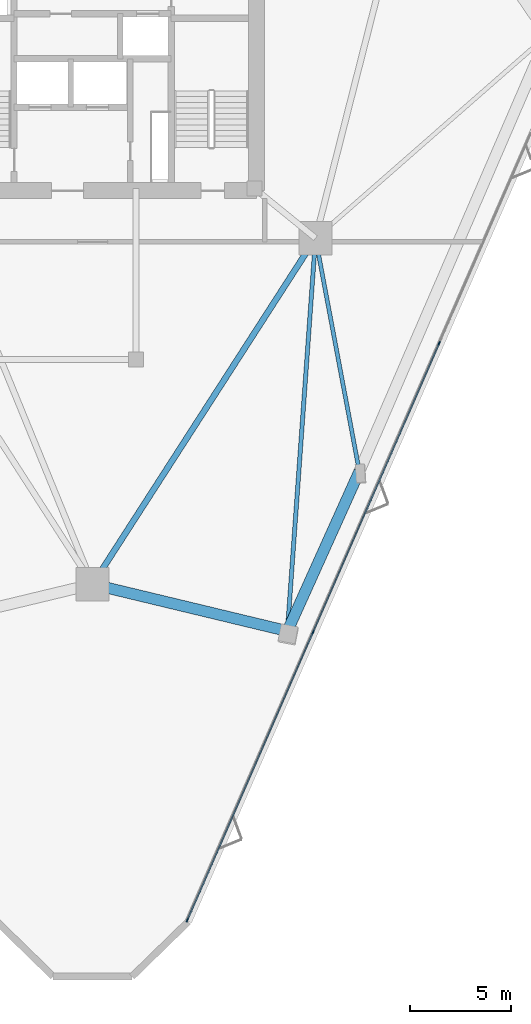
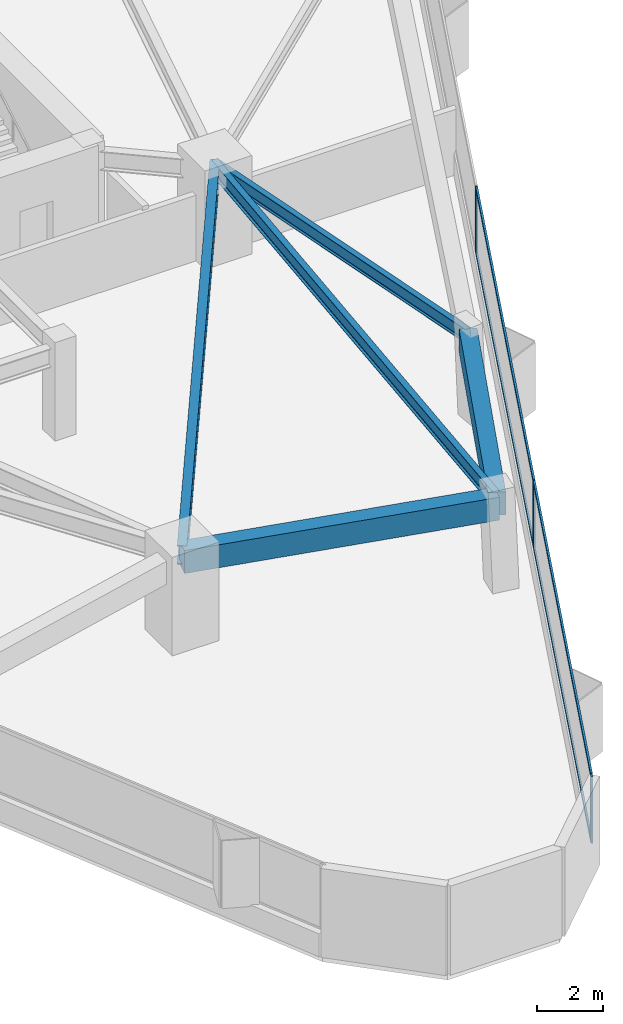
# One storey, part 3 of 14: 7 members, 5 beams, 1 element without a shape of its own.
"""IFC4 building model written with IfcOpenShell, lengths in metres."""

from ifc_helpers import new_model, si_unit, direction, frame, origin, origin_2d, place, context, subcontext, project, spatial, rectangle, i_section, extrude, material, layer, layer_set, material_profile, profile_set, type_object, element, aggregate, save


model = new_model("IFC4")

# Units and contexts
model_context = context("Model", 3, precision=1e-05, world=origin(), true_north=direction((0.0, 1.0)))
body_context = subcontext(model_context, "Body", "Model", "MODEL_VIEW")
ifc_project = project(units=[si_unit("LENGTHUNIT", "METRE"), si_unit("AREAUNIT", "SQUARE_METRE"), si_unit("VOLUMEUNIT", "CUBIC_METRE"), si_unit("PLANEANGLEUNIT", "RADIAN"), si_unit("MASSUNIT", "GRAM", prefix="KILO")], contexts=[model_context])

# Site, building, storey
site_placement = place(None, origin())
site = spatial("IfcSite", under=ifc_project, at=site_placement, CompositionType="ELEMENT")
building_placement = place(site_placement, origin())
building = spatial("IfcBuilding", under=site, at=building_placement, Name="Talyreon Biosciences Tower", CompositionType="ELEMENT")
storey_placement = place(building_placement, frame((0.0, 0.0, 115.14990234375)))
storey = spatial("IfcBuildingStorey", under=building, at=storey_placement, Name="L30", CompositionType="ELEMENT", Elevation=115.14990234375)

# Curtain wall, members
ifc_material_1 = material(Name="Thermally broken aluminium and low-E glazing", Category="aluminium")
ifc_layer = layer(ifc_material_1, 0.18994140625)
ifc_layer_set = layer_set([ifc_layer], Name="Thermally broken aluminium and low-E glazing")
curtain_wall_type = type_object("IfcCurtainWallType", Name="CurtainWall_Zone2Genomics", PredefinedType="NOTDEFINED", material=ifc_layer_set)
curtain_wall_placement = place(storey_placement, origin())
curtain_wall = element("IfcCurtainWall", 1, at=curtain_wall_placement, inside=storey, type_object=curtain_wall_type, Name="L30 Unitised Curtain Wall FCW-L30-08", PredefinedType="NOTDEFINED")
ifc_material_2 = material(Name="Anodised thermally broken aluminium", Category="aluminium")
ifc_material_profile_1 = material_profile(ifc_material_2, rectangle(XDim=0.06494140625, YDim=0.179931640625, at=origin_2d()), Name="ALUM MULLION 65x180")
ifc_profile_set_1 = profile_set([ifc_material_profile_1], Name="Anodised thermally broken aluminium")
member_type_1 = type_object("IfcMemberType", Name="CWMullion_65x180", PredefinedType="MULLION", material=ifc_profile_set_1)
member_1_placement = place(storey_placement, frame((83.236328125, 53.6474609375, 0.81005859375), z_axis=(0.0, 0.0, 1.0), x_axis=(0.916416470178, -0.400226002637, 0.0)))
member_1 = element("IfcMember", 2, at=member_1_placement, type_object=member_type_1, Name="CW3 mullion 3", PredefinedType="MULLION", context=body_context, shape_type="SweptSolid", body=[
    extrude(rectangle(XDim=0.06494140625, YDim=0.179931640625, at=origin_2d()), origin(), (0.0, 0.0, 1.0), 2.489990234375),
])
member_2_placement = place(storey_placement, frame((76.964111328125, 39.2861328125, 0.81005859375), z_axis=(0.0, 0.0, 1.0), x_axis=(0.916416470178, -0.400226002637, 0.0)))
member_2 = element("IfcMember", 3, at=member_2_placement, type_object=member_type_1, Name="CW3 mullion 4", PredefinedType="MULLION", context=body_context, shape_type="SweptSolid", body=[
    extrude(rectangle(XDim=0.06494140625, YDim=0.179931640625, at=origin_2d()), origin(), (0.0, 0.0, 1.0), 2.489990234375),
])
member_3_placement = place(storey_placement, frame((70.705078125, 24.954345703125, 0.81005859375), z_axis=(0.0, 0.0, 1.0), x_axis=(0.916416470178, -0.400226002637, 0.0)))
member_3 = element("IfcMember", 4, at=member_3_placement, type_object=member_type_1, Name="CW3 mullion 5", PredefinedType="MULLION", context=body_context, shape_type="SweptSolid", body=[
    extrude(rectangle(XDim=0.06494140625, YDim=0.179931640625, at=origin_2d()), origin(), (0.0, 0.0, 1.0), 2.489990234375),
])
ifc_material_profile_2 = material_profile(ifc_material_2, rectangle(XDim=0.06494140625, YDim=0.139892578125, at=origin_2d()), Name="ALUM TRANSOM 65x140")
ifc_profile_set_2 = profile_set([ifc_material_profile_2], Name="Anodised thermally broken aluminium")
member_type_2 = type_object("IfcMemberType", Name="CWTransom_65x140", PredefinedType="USERDEFINED", material=ifc_profile_set_2)
member_4_placement = place(storey_placement, frame((83.223388671875, 53.61767578125, 0.842529296875), z_axis=(-0.40023115993, -0.916414217819, 0.0), x_axis=(0.916414217819, -0.40023115993, 0.0)))
member_4 = element("IfcMember", 5, at=member_4_placement, type_object=member_type_2, Name="CW3 transom 3.1", ObjectType="TRANSOM", PredefinedType="USERDEFINED", context=body_context, shape_type="SweptSolid", body=[
    extrude(rectangle(XDim=0.06494140625, YDim=0.139892578125, at=origin_2d()), origin(), (0.0, 0.0, 1.0), 15.606201171875),
])
member_5_placement = place(storey_placement, frame((83.223388671875, 53.61767578125, 3.267578125), z_axis=(-0.40023115993, -0.916414217819, 0.0), x_axis=(0.916414217819, -0.40023115993, 0.0)))
member_5 = element("IfcMember", 6, at=member_5_placement, type_object=member_type_2, Name="CW3 transom 3.2", ObjectType="TRANSOM", PredefinedType="USERDEFINED", context=body_context, shape_type="SweptSolid", body=[
    extrude(rectangle(XDim=0.06494140625, YDim=0.139892578125, at=origin_2d()), origin(), (0.0, 0.0, 1.0), 15.606201171875),
])
member_6_placement = place(storey_placement, frame((76.951171875, 39.25634765625, 0.842529296875), z_axis=(-0.400229120213, -0.916415108634, 0.0), x_axis=(0.916415108634, -0.400229120213, 0.0)))
member_6 = element("IfcMember", 7, at=member_6_placement, type_object=member_type_2, Name="CW3 transom 4.1", ObjectType="TRANSOM", PredefinedType="USERDEFINED", context=body_context, shape_type="SweptSolid", body=[
    extrude(rectangle(XDim=0.06494140625, YDim=0.139892578125, at=origin_2d()), origin(), (0.0, 0.0, 1.0), 15.573974609375),
])
member_7_placement = place(storey_placement, frame((76.951171875, 39.25634765625, 3.267578125), z_axis=(-0.400229120213, -0.916415108634, 0.0), x_axis=(0.916415108634, -0.400229120213, 0.0)))
member_7 = element("IfcMember", 8, at=member_7_placement, type_object=member_type_2, Name="CW3 transom 4.2", ObjectType="TRANSOM", PredefinedType="USERDEFINED", context=body_context, shape_type="SweptSolid", body=[
    extrude(rectangle(XDim=0.06494140625, YDim=0.139892578125, at=origin_2d()), origin(), (0.0, 0.0, 1.0), 15.573974609375),
])
aggregate(curtain_wall, [member_1, member_2, member_3, member_4, member_5, member_6, member_7])

# Beams
ifc_material_3 = material(Name="Precast concrete C45/55", Category="concrete")
ifc_material_profile_3 = material_profile(ifc_material_3, rectangle(XDim=0.550048828125, YDim=0.85009765625, at=origin_2d()), Name="RCB 550x850")
ifc_profile_set_3 = profile_set([ifc_material_profile_3], Name="Precast concrete C45/55")
beam_type_1 = type_object("IfcBeamType", Name="ExpressedSpandrel_550x850", PredefinedType="SPANDREL", material=ifc_profile_set_3)
beam_1_placement = place(storey_placement, frame((66.0, 41.6669921875, 2.875), z_axis=(0.972310512875, -0.233692675436, 0.0), x_axis=(0.233692675436, 0.972310512875, 0.0)))
element("IfcBeam", 9, at=beam_1_placement, inside=storey, type_object=beam_type_1, Name="L30 Expressed Horizontal Concrete Spandrel 01", PredefinedType="SPANDREL", context=body_context, shape_type="SweptSolid", body=[
    extrude(rectangle(XDim=0.550048828125, YDim=0.85009765625, at=origin_2d()), origin(), (0.0, 0.0, 1.0), 9.96337890625),
])
beam_2_placement = place(storey_placement, frame((75.6875, 39.338623046875, 2.875), z_axis=(0.410662956042, 0.911787221085, 0.0), x_axis=(-0.911787221085, 0.410662956042, 0.0)))
element("IfcBeam", 10, at=beam_2_placement, inside=storey, type_object=beam_type_1, Name="L30 Expressed Horizontal Concrete Spandrel 02", PredefinedType="SPANDREL", context=body_context, shape_type="SweptSolid", body=[
    extrude(rectangle(XDim=0.550048828125, YDim=0.85009765625, at=origin_2d()), origin(), (0.0, 0.0, 1.0), 8.7119140625),
])
ifc_material_4 = material(Name="Steel SM355", Category="steel")
ifc_material_profile_4 = material_profile(ifc_material_4, i_section(OverallWidth=0.300048828125, OverallDepth=0.699951171875, WebThickness=0.01708984375, FlangeThickness=0.031982421875, FilletRadius=0.027099609375, at=origin_2d()), Name="HE700B")
ifc_profile_set_4 = profile_set([ifc_material_profile_4], Name="Steel SM355")
beam_type_2 = type_object("IfcBeamType", Name="SteelGirder_HE700B", PredefinedType="BEAM", material=ifc_profile_set_4)
beam_3_placement = place(storey_placement, frame((66.0, 41.6669921875, 2.9501953125), z_axis=(0.541463723609, 0.840724114092, 0.0), x_axis=(-0.840724114092, 0.541463723609, 0.0)))
element("IfcBeam", 11, at=beam_3_placement, inside=storey, type_object=beam_type_2, Name="L30 Mega-Ring Girder 1", PredefinedType="BEAM", context=body_context, shape_type="SweptSolid", body=[
    extrude(i_section(OverallWidth=0.300048828125, OverallDepth=0.699951171875, WebThickness=0.01708984375, FlangeThickness=0.031982421875, FilletRadius=0.027099609375, at=origin_2d()), origin(), (0.0, 0.0, 1.0), 20.474365234375),
])
ifc_material_profile_5 = material_profile(ifc_material_4, i_section(OverallWidth=0.199951171875, OverallDepth=0.5, WebThickness=0.01025390625, FlangeThickness=0.01611328125, FilletRadius=0.02099609375, at=origin_2d()), Name="IPE500")
ifc_profile_set_5 = profile_set([ifc_material_profile_5], Name="Steel SM355")
beam_type_3 = type_object("IfcBeamType", Name="SteelJoist_IPE500", PredefinedType="JOIST", material=ifc_profile_set_5)
beam_4_placement = place(storey_placement, frame((77.086181640625, 58.88037109375, 3.050048828125), z_axis=(0.184637012287, -0.9828067835, 0.0), x_axis=(0.9828067835, 0.184637012287, 0.0)))
element("IfcBeam", 12, at=beam_4_placement, inside=storey, type_object=beam_type_3, Name="L30 Radial Composite Floor Joist PL-SE", PredefinedType="JOIST", context=body_context, shape_type="SweptSolid", body=[
    extrude(i_section(OverallWidth=0.199951171875, OverallDepth=0.5, WebThickness=0.01025390625, FlangeThickness=0.01611328125, FilletRadius=0.02099609375, at=origin_2d()), origin(), (0.0, 0.0, 1.0), 11.80126953125),
])
ifc_material_profile_6 = material_profile(ifc_material_4, i_section(OverallWidth=0.2099609375, OverallDepth=0.550048828125, WebThickness=0.010986328125, FlangeThickness=0.01708984375, FilletRadius=0.02392578125, at=origin_2d()), Name="IPE550")
ifc_profile_set_6 = profile_set([ifc_material_profile_6], Name="Steel SM355")
beam_type_4 = type_object("IfcBeamType", Name="SteelJoist_IPE550", PredefinedType="JOIST", material=ifc_profile_set_6)
beam_5_placement = place(storey_placement, frame((77.086181640625, 58.88037109375, 3.025146484375), z_axis=(-0.071391399141, -0.997448378679, 0.0), x_axis=(0.997448378679, -0.071391399141, 0.0)))
element("IfcBeam", 13, at=beam_5_placement, inside=storey, type_object=beam_type_4, Name="L30 Radial Composite Floor Joist PC-SE1", PredefinedType="JOIST", context=body_context, shape_type="SweptSolid", body=[
    extrude(i_section(OverallWidth=0.2099609375, OverallDepth=0.550048828125, WebThickness=0.010986328125, FlangeThickness=0.01708984375, FilletRadius=0.02392578125, at=origin_2d()), origin(), (0.0, 0.0, 1.0), 19.591796875),
])

save(model, "model.ifc")
